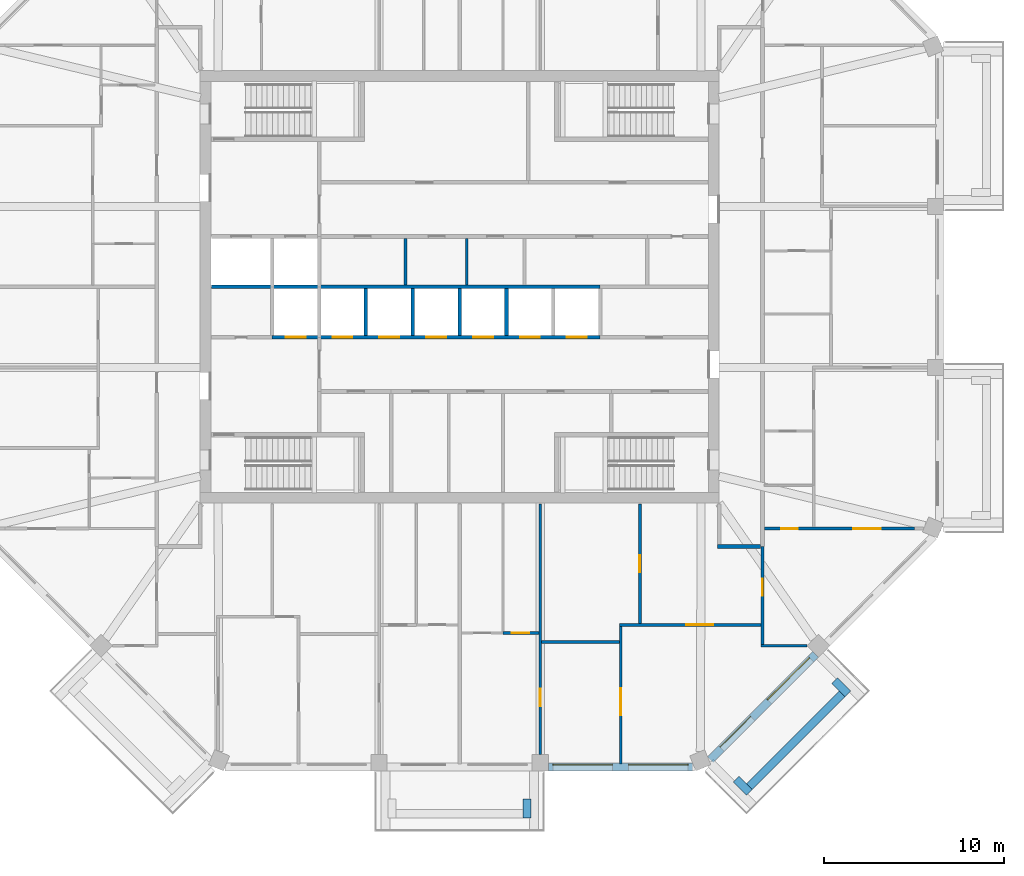
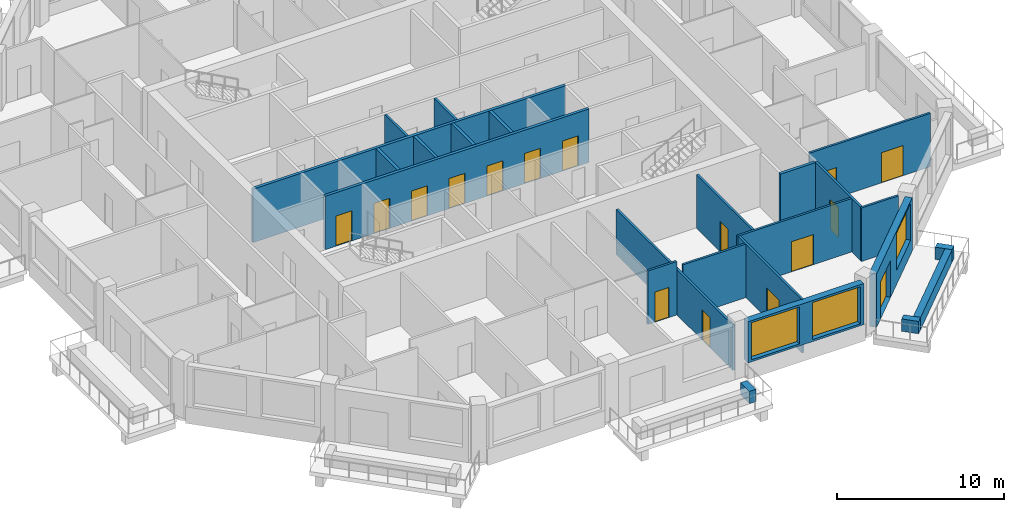
# One storey, part 5 of 12: 24 walls, 16 doors, 3 windows, 19 openings.
"""IFC4 building model written with IfcOpenShell, lengths in metres."""

from ifc_helpers import new_model, si_unit, direction, frame, frame_2d, origin, place, context, subcontext, project, spatial, rectangle, extrude, material, layer, layer_set, type_object, element, fill, save


model = new_model("IFC4")

# Units and contexts
model_context = context("Model", 3, precision=1e-05, world=origin(), true_north=direction((0.0, 1.0)))
body_context = subcontext(model_context, "Body", "Model", "MODEL_VIEW")
ifc_project = project(units=[si_unit("LENGTHUNIT", "METRE"), si_unit("AREAUNIT", "SQUARE_METRE"), si_unit("VOLUMEUNIT", "CUBIC_METRE"), si_unit("PLANEANGLEUNIT", "RADIAN"), si_unit("MASSUNIT", "GRAM", prefix="KILO")], contexts=[model_context])

# Site, building, storey
site_placement = place(None, origin())
site = spatial("IfcSite", under=ifc_project, at=site_placement, CompositionType="ELEMENT")
building_placement = place(site_placement, origin())
building = spatial("IfcBuilding", under=site, at=building_placement, Name="Msitu Wima Residences", CompositionType="ELEMENT")
storey_placement = place(building_placement, frame((0.0, 0.0, 310.5)))
storey = spatial("IfcBuildingStorey", under=building, at=storey_placement, Name="L72", CompositionType="ELEMENT", Elevation=310.5)

# Walls
ifc_material_1 = material(Name="Facing brick")
ifc_layer_1 = layer(ifc_material_1, 0.06494140625, Name="Facing brick")
ifc_material_2 = material(Name="Concrete C40/50", Category="concrete")
ifc_layer_2 = layer(ifc_material_2, 0.156005859375, Name="Concrete C40/50")
ifc_material_3 = material(Name="Waterproofing membrane")
ifc_layer_3 = layer(ifc_material_3, 0.00390625, Name="Waterproofing membrane")
ifc_material_4 = material(Name="Planting soil and planting")
ifc_layer_4 = layer(ifc_material_4, 0.22509765625, Name="Planting soil and planting")
ifc_layer_set_1 = layer_set([ifc_layer_1, ifc_layer_2, ifc_layer_3, ifc_layer_4], Name="Concrete C40/50")
wall_type_1 = type_object("IfcWallType", Name="Balcony planter PLANTER PL450", PredefinedType="USERDEFINED", material=ifc_layer_set_1)
wall_1_placement = place(storey_placement, frame((3.74365234375, -28.39990234375, 0.0), z_axis=(0.0, 0.0, 1.0), x_axis=(0.0, -1.0, 0.0)))
element("IfcWall", 1, at=wall_1_placement, inside=storey, type_object=wall_type_1, Name="Balcony planter S1 L72", ObjectType="PLANTER", PredefinedType="USERDEFINED", context=body_context, shape_type="SweptSolid", body=[
    extrude(rectangle(XDim=1.050048828125, YDim=0.449951171875, at=frame_2d((0.52490234375, 0.0))), origin(), (0.0, 0.0, 1.0), 0.89990234375),
])
wall_2_placement = place(storey_placement, frame((16.0751953125, -27.725830078125, 0.0), z_axis=(0.0, 0.0, 1.0), x_axis=(0.707106781187, 0.707106781187, 0.0)))
element("IfcWall", 2, at=wall_2_placement, inside=storey, type_object=wall_type_1, Name="Balcony planter SE0 L72", ObjectType="PLANTER", PredefinedType="USERDEFINED", context=body_context, shape_type="SweptSolid", body=[
    extrude(rectangle(XDim=7.288330078125, YDim=0.449951171875, at=frame_2d((3.64404296875, 0.0))), origin(), (0.0, 0.0, 1.0), 0.89990234375),
])
for number, where, z_axis, x_axis, name in (
    (3, (15.332763671875, -27.301513671875, 0.0), (0.0, 0.0, 1.0), (0.707106781187, -0.707106781187, 0.0), "Balcony planter SE0 L72"),
    (4, (20.804443359375, -21.829833984375, 0.0), (0.0, 0.0, 1.0), (0.707106781187, -0.707106781187, 0.0), "Balcony planter SE0 L72"),
):
    element("IfcWall", number, at=place(storey_placement, frame(where, z_axis=z_axis, x_axis=x_axis)), inside=storey, type_object=wall_type_1, Name=name, ObjectType="PLANTER", PredefinedType="USERDEFINED", context=body_context, shape_type="SweptSolid", body=[
        extrude(rectangle(XDim=1.050048828125, YDim=0.449951171875, at=frame_2d((0.52490234375, 0.0))), origin(), (0.0, 0.0, 1.0), 0.89990234375),
    ])

# Wall, openings, windows
ifc_material_5 = material(Name="Brick (red buff mix)", Category="masonry")
ifc_layer_5 = layer(ifc_material_5, 0.449951171875)
ifc_layer_set_2 = layer_set([ifc_layer_5], Name="Brick (red buff mix)")
wall_type_2 = type_object("IfcWallType", Name="Brick infill wall BW450", PredefinedType="SOLIDWALL", material=ifc_layer_set_2)
wall_3_placement = place(storey_placement, frame((4.918701171875, -26.625, 0.89990234375), z_axis=(0.0, 0.0, 1.0), x_axis=(1.0, 0.0, 0.0)))
wall_3 = element("IfcWall", 5, at=wall_3_placement, inside=storey, type_object=wall_type_2, Name="Brick infill wall L72 S2", PredefinedType="SOLIDWALL", context=body_context, shape_type="SweptSolid", body=[
    extrude(rectangle(XDim=8.0, YDim=0.449951171875, at=frame_2d((4.0, 0.0))), origin(), (0.0, 0.0, 1.0), 3.0),
])
opening_1_placement = place(wall_3_placement, frame((0.25, 0.0, 0.14990234375)))
opening_1 = element("IfcOpeningElement", 6, at=opening_1_placement, cuts=wall_3, Name="Opening W72.019", PredefinedType="OPENING", context=body_context, shape_type="SweptSolid", body=[
    extrude(rectangle(XDim=3.300048828125, YDim=2.699951171875, at=frame_2d((1.64990234375, 1.35009765625))), frame((0.0, 0.23486328125, 0.0), z_axis=(0.0, -1.0, 0.0), x_axis=(1.0, 0.0, 0.0)), (0.0, 0.0, 1.0), 0.469970703125),
])
opening_2_placement = place(wall_3_placement, frame((4.4501953125, 0.0, 0.14990234375)))
opening_2 = element("IfcOpeningElement", 7, at=opening_2_placement, cuts=wall_3, Name="Opening W72.020", PredefinedType="OPENING", context=body_context, shape_type="SweptSolid", body=[
    extrude(rectangle(XDim=3.300048828125, YDim=2.699951171875, at=frame_2d((1.64990234375, 1.35009765625))), frame((0.0, 0.23486328125, 0.0), z_axis=(0.0, -1.0, 0.0), x_axis=(1.0, 0.0, 0.0)), (0.0, 0.0, 1.0), 0.469970703125),
])
ifc_material_6 = material(Name="Anodised aluminium, bronze finish, clear low-emissivity double glazing", Category="aluminium")
window_type = type_object("IfcWindowType", Name="Window W3300x2700", PartitioningType="DOUBLE_PANEL_VERTICAL", PredefinedType="WINDOW", material=ifc_material_6)
window_1_placement = place(opening_1_placement, origin())
window_1 = element("IfcWindow", 8, at=window_1_placement, inside=storey, type_object=window_type, Name="Window L72 S2.1", OverallHeight=2.699951171875, OverallWidth=3.300048828125, PartitioningType="SINGLE_PANEL", PredefinedType="WINDOW", context=body_context, shape_type="SweptSolid", body=[
    extrude(rectangle(XDim=3.300048828125, YDim=2.699951171875, at=frame_2d((1.64990234375, 1.35009765625))), frame((0.0, 0.135009765625, 0.0), z_axis=(0.0, -1.0, 0.0), x_axis=(1.0, 0.0, 0.0)), (0.0, 0.0, 1.0), 0.06005859375),
])
fill(opening_1, window_1)
window_2_placement = place(opening_2_placement, origin())
window_2 = element("IfcWindow", 9, at=window_2_placement, inside=storey, type_object=window_type, Name="Window L72 S2.2", OverallHeight=2.699951171875, OverallWidth=3.300048828125, PartitioningType="SINGLE_PANEL", PredefinedType="WINDOW", context=body_context, shape_type="SweptSolid", body=[
    extrude(rectangle(XDim=3.300048828125, YDim=2.699951171875, at=frame_2d((1.64990234375, 1.35009765625))), frame((0.0, 0.135009765625, 0.0), z_axis=(0.0, -1.0, 0.0), x_axis=(1.0, 0.0, 0.0)), (0.0, 0.0, 1.0), 0.06005859375),
])
fill(opening_2, window_2)

# Wall, openings, door, window
wall_4_placement = place(storey_placement, frame((13.909423828125, -26.214599609375, 0.0), z_axis=(0.0, 0.0, 1.0), x_axis=(0.707106781187, 0.707106781187, 0.0)))
wall_4 = element("IfcWall", 10, at=wall_4_placement, inside=storey, type_object=wall_type_2, Name="Brick infill wall L72 SE0", PredefinedType="SOLIDWALL", context=body_context, shape_type="SweptSolid", body=[
    extrude(rectangle(XDim=8.251220703125, YDim=0.449951171875, at=frame_2d((4.12548828125, 0.0))), origin(), (0.0, 0.0, 1.0), 3.89990234375),
])
opening_3_placement = place(wall_4_placement, frame((0.86279296875, 0.0, 0.0)))
opening_3 = element("IfcOpeningElement", 11, at=opening_3_placement, cuts=wall_4, Name="Opening D72.007", PredefinedType="OPENING", context=body_context, shape_type="SweptSolid", body=[
    extrude(rectangle(XDim=2.39990234375, YDim=2.699951171875, at=frame_2d((1.199951171875, 1.35009765625))), frame((0.0, 0.23486328125, 0.0), z_axis=(0.0, -1.0, 0.0), x_axis=(1.0, 0.0, 0.0)), (0.0, 0.0, 1.0), 0.469970703125),
])
opening_4_placement = place(wall_4_placement, frame((4.57568359375, 0.0, 1.050048828125)))
opening_4 = element("IfcOpeningElement", 12, at=opening_4_placement, cuts=wall_4, Name="Opening W72.021", PredefinedType="OPENING", context=body_context, shape_type="SweptSolid", body=[
    extrude(rectangle(XDim=3.300048828125, YDim=2.699951171875, at=frame_2d((1.64990234375, 1.35009765625))), frame((0.0, 0.23486328125, 0.0), z_axis=(0.0, -1.0, 0.0), x_axis=(1.0, 0.0, 0.0)), (0.0, 0.0, 1.0), 0.469970703125),
])
door_type_1 = type_object("IfcDoorType", Name="Balcony door D2400x2700", OperationType="SLIDING_TO_LEFT", PredefinedType="DOOR", material=ifc_material_6)
door_1_placement = place(opening_3_placement, origin())
door_1 = element("IfcDoor", 13, at=door_1_placement, inside=storey, type_object=door_type_1, Name="Balcony door L72 SE0", OperationType="SINGLE_SWING_LEFT", OverallHeight=2.699951171875, OverallWidth=2.39990234375, PredefinedType="DOOR", context=body_context, shape_type="SweptSolid", body=[
    extrude(rectangle(XDim=2.39990234375, YDim=2.699951171875, at=frame_2d((1.199951171875, 1.35009765625))), frame((0.0, 0.1298828125, 0.0), z_axis=(0.0, -1.0, 0.0), x_axis=(1.0, 0.0, 0.0)), (0.0, 0.0, 1.0), 0.050048828125),
])
fill(opening_3, door_1)
window_3_placement = place(opening_4_placement, origin())
window_3 = element("IfcWindow", 14, at=window_3_placement, inside=storey, type_object=window_type, Name="Window L72 SE0.2", OverallHeight=2.699951171875, OverallWidth=3.300048828125, PartitioningType="SINGLE_PANEL", PredefinedType="WINDOW", context=body_context, shape_type="SweptSolid", body=[
    extrude(rectangle(XDim=3.300048828125, YDim=2.699951171875, at=frame_2d((1.64990234375, 1.35009765625))), frame((0.0, 0.135009765625, 0.0), z_axis=(0.0, -1.0, 0.0), x_axis=(1.0, 0.0, 0.0)), (0.0, 0.0, 1.0), 0.06005859375),
])
fill(opening_4, window_3)

# Walls
ifc_material_7 = material(Name="Plaster")
ifc_layer_6 = layer(ifc_material_7, 0.011962890625, Name="Plaster")
ifc_material_8 = material(Name="Concrete blockwork", Category="masonry")
ifc_layer_7 = layer(ifc_material_8, 0.176025390625, Name="Concrete blockwork")
ifc_layer_8 = layer(ifc_material_7, 0.011962890625, Name="Plaster")
ifc_layer_set_3 = layer_set([ifc_layer_6, ifc_layer_7, ifc_layer_8], Name="Concrete blockwork")
wall_type_3 = type_object("IfcWallType", Name="Corridor wall FW200", PredefinedType="PARTITIONING", material=ifc_layer_set_3)
wall_5_placement = place(storey_placement, frame((14.300048828125, -14.39990234375, 0.0), z_axis=(0.0, 0.0, 1.0), x_axis=(1.0, 0.0, 0.0)))
element("IfcWall", 15, at=wall_5_placement, inside=storey, type_object=wall_type_3, Name="Corridor wall", PredefinedType="PARTITIONING", context=body_context, shape_type="SweptSolid", body=[
    extrude(rectangle(XDim=2.39990234375, YDim=0.199951171875, at=frame_2d((1.199951171875, 0.0))), origin(), (0.0, 0.0, 1.0), 3.89990234375),
])
ifc_layer_9 = layer(ifc_material_7, 0.011962890625, Name="Plaster")
ifc_layer_10 = layer(ifc_material_8, 0.1259765625, Name="Concrete blockwork")
ifc_layer_11 = layer(ifc_material_7, 0.011962890625, Name="Plaster")
ifc_layer_set_4 = layer_set([ifc_layer_9, ifc_layer_10, ifc_layer_11], Name="Concrete blockwork")
wall_type_4 = type_object("IfcWallType", Name="Partition PW150", PredefinedType="PARTITIONING", material=ifc_layer_set_4)
for number, where, z_axis, x_axis, name in (
    (16, (-3.0, 0.10009765625, 0.0), (0.0, 0.0, 1.0), (0.0, 1.0, 0.0), "Partition"),
    (17, (0.39990234375, 0.10009765625, 0.0), (0.0, 0.0, 1.0), (0.0, 1.0, 0.0), "Partition"),
):
    element("IfcWall", number, at=place(storey_placement, frame(where, z_axis=z_axis, x_axis=x_axis)), inside=storey, type_object=wall_type_4, Name=name, PredefinedType="PARTITIONING", context=body_context, shape_type="SweptSolid", body=[
        extrude(rectangle(XDim=2.599853515625, YDim=0.14990234375, at=frame_2d((1.2998046875, 0.0))), origin(), (0.0, 0.0, 1.0), 3.89990234375),
    ])

# Wall, opening, door
wall_6_placement = place(storey_placement, frame((2.39990234375, -19.199951171875, 0.0), z_axis=(0.0, 0.0, 1.0), x_axis=(1.0, 0.0, 0.0)))
wall_6 = element("IfcWall", 18, at=wall_6_placement, inside=storey, type_object=wall_type_4, Name="Partition", PredefinedType="PARTITIONING", context=body_context, shape_type="SweptSolid", body=[
    extrude(rectangle(XDim=1.99365234375, YDim=0.14990234375, at=frame_2d((0.996826171875, 0.0))), origin(), (0.0, 0.0, 1.0), 3.89990234375),
])
opening_5_placement = place(wall_6_placement, frame((0.5, 0.0, 0.0)))
opening_5 = element("IfcOpeningElement", 19, at=opening_5_placement, cuts=wall_6, Name="Opening D72.026", PredefinedType="OPENING", context=body_context, shape_type="SweptSolid", body=[
    extrude(rectangle(XDim=0.949951171875, YDim=2.199951171875, at=frame_2d((0.47509765625, 1.10009765625))), frame((0.0, 0.0849609375, 0.0), z_axis=(0.0, -1.0, 0.0), x_axis=(1.0, 0.0, 0.0)), (0.0, 0.0, 1.0), 0.169921875),
])
ifc_material_9 = material(Name="Timber flush door", Category="wood")
door_type_2 = type_object("IfcDoorType", Name="Room door D12 950x2200", OperationType="SINGLE_SWING_LEFT", PredefinedType="DOOR", material=ifc_material_9)
door_2_placement = place(opening_5_placement, origin())
door_2 = element("IfcDoor", 20, at=door_2_placement, inside=storey, type_object=door_type_2, Name="Room door", OperationType="SINGLE_SWING_LEFT", OverallHeight=2.199951171875, OverallWidth=0.949951171875, PredefinedType="DOOR", context=body_context, shape_type="SweptSolid", body=[
    extrude(rectangle(XDim=0.949951171875, YDim=2.199951171875, at=frame_2d((0.47509765625, 1.10009765625))), frame((0.0, 0.02490234375, 0.0), z_axis=(0.0, -1.0, 0.0), x_axis=(1.0, 0.0, 0.0)), (0.0, 0.0, 1.0), 0.050048828125),
])
fill(opening_5, door_2)

wall_7_placement = place(storey_placement, frame((4.46875, -25.949951171875, 0.0), z_axis=(0.0, 0.0, 1.0), x_axis=(0.0, 1.0, 0.0)))
wall_7 = element("IfcWall", 21, at=wall_7_placement, inside=storey, type_object=wall_type_4, Name="Partition", PredefinedType="PARTITIONING", context=body_context, shape_type="SweptSolid", body=[
    extrude(rectangle(XDim=13.919921875, YDim=0.14990234375, at=frame_2d((6.9599609375, 0.0))), origin(), (0.0, 0.0, 1.0), 3.300048828125),
])
opening_6_placement = place(wall_7_placement, frame((2.699951171875, 0.0, 0.0)))
opening_6 = element("IfcOpeningElement", 22, at=opening_6_placement, cuts=wall_7, Name="Opening D72.022", PredefinedType="OPENING", context=body_context, shape_type="SweptSolid", body=[
    extrude(rectangle(XDim=0.949951171875, YDim=2.199951171875, at=frame_2d((0.47509765625, 1.10009765625))), frame((0.0, 0.0849609375, 0.0), z_axis=(0.0, -1.0, 0.0), x_axis=(1.0, 0.0, 0.0)), (0.0, 0.0, 1.0), 0.169921875),
])
door_3_placement = place(opening_6_placement, origin())
door_3 = element("IfcDoor", 23, at=door_3_placement, inside=storey, type_object=door_type_2, Name="Room door", OperationType="SINGLE_SWING_LEFT", OverallHeight=2.199951171875, OverallWidth=0.949951171875, PredefinedType="DOOR", context=body_context, shape_type="SweptSolid", body=[
    extrude(rectangle(XDim=0.949951171875, YDim=2.199951171875, at=frame_2d((0.47509765625, 1.10009765625))), frame((0.0, 0.02490234375, 0.0), z_axis=(0.0, -1.0, 0.0), x_axis=(1.0, 0.0, 0.0)), (0.0, 0.0, 1.0), 0.050048828125),
])
fill(opening_6, door_3)

# Wall
wall_8_placement = place(storey_placement, frame((4.543701171875, -19.699951171875, 0.0), z_axis=(0.0, 0.0, 1.0), x_axis=(1.0, 0.0, 0.0)))
element("IfcWall", 24, at=wall_8_placement, inside=storey, type_object=wall_type_4, Name="Partition", PredefinedType="PARTITIONING", context=body_context, shape_type="SweptSolid", body=[
    extrude(rectangle(XDim=4.318603515625, YDim=0.14990234375, at=frame_2d((2.1591796875, 0.0))), origin(), (0.0, 0.0, 1.0), 3.89990234375),
])

# Wall, opening, door
wall_9_placement = place(storey_placement, frame((8.937255859375, -26.455078125, 0.0), z_axis=(0.0, 0.0, 1.0), x_axis=(0.0, 1.0, 0.0)))
wall_9 = element("IfcWall", 25, at=wall_9_placement, inside=storey, type_object=wall_type_4, Name="Partition", PredefinedType="PARTITIONING", context=body_context, shape_type="SweptSolid", body=[
    extrude(rectangle(XDim=7.630126953125, YDim=0.14990234375, at=frame_2d((3.81494140625, 0.0))), origin(), (0.0, 0.0, 1.0), 3.89990234375),
])
opening_7_placement = place(wall_9_placement, frame((2.699951171875, 0.0, 0.0)))
opening_7 = element("IfcOpeningElement", 26, at=opening_7_placement, cuts=wall_9, Name="Opening D72.019", PredefinedType="OPENING", context=body_context, shape_type="SweptSolid", body=[
    extrude(rectangle(XDim=1.5, YDim=2.199951171875, at=frame_2d((0.75, 1.10009765625))), frame((0.0, 0.0849609375, 0.0), z_axis=(0.0, -1.0, 0.0), x_axis=(1.0, 0.0, 0.0)), (0.0, 0.0, 1.0), 0.169921875),
])
ifc_material_10 = material(Name="Timber double door", Category="wood")
door_type_3 = type_object("IfcDoorType", Name="Double door D04 1500x2200", OperationType="DOUBLE_DOOR_SINGLE_SWING", PredefinedType="DOOR", material=ifc_material_10)
door_4_placement = place(opening_7_placement, origin())
door_4 = element("IfcDoor", 27, at=door_4_placement, inside=storey, type_object=door_type_3, Name="Double door", OperationType="DOUBLE_DOOR_SINGLE_SWING", OverallHeight=2.199951171875, OverallWidth=1.5, PredefinedType="DOOR", context=body_context, shape_type="SweptSolid", body=[
    extrude(rectangle(XDim=1.5, YDim=2.199951171875, at=frame_2d((0.75, 1.10009765625))), frame((0.0, 0.02490234375, 0.0), z_axis=(0.0, -1.0, 0.0), x_axis=(1.0, 0.0, 0.0)), (0.0, 0.0, 1.0), 0.050048828125),
])
fill(opening_7, door_4)

wall_10_placement = place(storey_placement, frame((8.8623046875, -18.75, 0.0), z_axis=(0.0, 0.0, 1.0), x_axis=(1.0, 0.0, 0.0)))
wall_10 = element("IfcWall", 28, at=wall_10_placement, inside=storey, type_object=wall_type_4, Name="Partition", PredefinedType="PARTITIONING", context=body_context, shape_type="SweptSolid", body=[
    extrude(rectangle(XDim=7.86279296875, YDim=0.14990234375, at=frame_2d((3.931396484375, 0.0))), origin(), (0.0, 0.0, 1.0), 3.89990234375),
])
opening_8_placement = place(wall_10_placement, frame((3.699951171875, 0.0, 0.0)))
opening_8 = element("IfcOpeningElement", 29, at=opening_8_placement, cuts=wall_10, Name="Opening D72.036", PredefinedType="OPENING", context=body_context, shape_type="SweptSolid", body=[
    extrude(rectangle(XDim=1.5, YDim=2.199951171875, at=frame_2d((0.75, 1.10009765625))), frame((0.0, 0.0849609375, 0.0), z_axis=(0.0, -1.0, 0.0), x_axis=(1.0, 0.0, 0.0)), (0.0, 0.0, 1.0), 0.169921875),
])
door_5_placement = place(opening_8_placement, origin())
door_5 = element("IfcDoor", 30, at=door_5_placement, inside=storey, type_object=door_type_3, Name="Double door", OperationType="DOUBLE_DOOR_SINGLE_SWING", OverallHeight=2.199951171875, OverallWidth=1.5, PredefinedType="DOOR", context=body_context, shape_type="SweptSolid", body=[
    extrude(rectangle(XDim=1.5, YDim=2.199951171875, at=frame_2d((0.75, 1.10009765625))), frame((0.0, 0.02490234375, 0.0), z_axis=(0.0, -1.0, 0.0), x_axis=(1.0, 0.0, 0.0)), (0.0, 0.0, 1.0), 0.050048828125),
])
fill(opening_8, door_5)

wall_11_placement = place(storey_placement, frame((10.0, -18.675048828125, 0.0), z_axis=(0.0, 0.0, 1.0), x_axis=(0.0, 1.0, 0.0)))
wall_11 = element("IfcWall", 31, at=wall_11_placement, inside=storey, type_object=wall_type_4, Name="Partition", PredefinedType="PARTITIONING", context=body_context, shape_type="SweptSolid", body=[
    extrude(rectangle(XDim=6.64501953125, YDim=0.14990234375, at=frame_2d((3.322509765625, 0.0))), origin(), (0.0, 0.0, 1.0), 3.89990234375),
])
opening_9_placement = place(wall_11_placement, frame((2.85009765625, 0.0, 0.0)))
opening_9 = element("IfcOpeningElement", 32, at=opening_9_placement, cuts=wall_11, Name="Opening D72.018", PredefinedType="OPENING", context=body_context, shape_type="SweptSolid", body=[
    extrude(rectangle(XDim=0.949951171875, YDim=2.199951171875, at=frame_2d((0.47509765625, 1.10009765625))), frame((0.0, 0.0849609375, 0.0), z_axis=(0.0, -1.0, 0.0), x_axis=(1.0, 0.0, 0.0)), (0.0, 0.0, 1.0), 0.169921875),
])
door_6_placement = place(opening_9_placement, origin())
door_6 = element("IfcDoor", 33, at=door_6_placement, inside=storey, type_object=door_type_2, Name="Room door", OperationType="SINGLE_SWING_LEFT", OverallHeight=2.199951171875, OverallWidth=0.949951171875, PredefinedType="DOOR", context=body_context, shape_type="SweptSolid", body=[
    extrude(rectangle(XDim=0.949951171875, YDim=2.199951171875, at=frame_2d((0.47509765625, 1.10009765625))), frame((0.0, 0.02490234375, 0.0), z_axis=(0.0, -1.0, 0.0), x_axis=(1.0, 0.0, 0.0)), (0.0, 0.0, 1.0), 0.050048828125),
])
fill(opening_9, door_6)

wall_12_placement = place(storey_placement, frame((16.800048828125, -19.827880859375, 0.0), z_axis=(0.0, 0.0, 1.0), x_axis=(0.0, 1.0, 0.0)))
wall_12 = element("IfcWall", 34, at=wall_12_placement, inside=storey, type_object=wall_type_4, Name="Partition", PredefinedType="PARTITIONING", context=body_context, shape_type="SweptSolid", body=[
    extrude(rectangle(XDim=5.427978515625, YDim=0.14990234375, at=frame_2d((2.7138671875, 0.0))), origin(), (0.0, 0.0, 1.0), 3.89990234375),
])
opening_10_placement = place(wall_12_placement, frame((2.699951171875, 0.0, 0.0)))
opening_10 = element("IfcOpeningElement", 35, at=opening_10_placement, cuts=wall_12, Name="Opening D72.035", PredefinedType="OPENING", context=body_context, shape_type="SweptSolid", body=[
    extrude(rectangle(XDim=0.949951171875, YDim=2.199951171875, at=frame_2d((0.47509765625, 1.10009765625))), frame((0.0, 0.0849609375, 0.0), z_axis=(0.0, -1.0, 0.0), x_axis=(1.0, 0.0, 0.0)), (0.0, 0.0, 1.0), 0.169921875),
])
door_7_placement = place(opening_10_placement, origin())
door_7 = element("IfcDoor", 36, at=door_7_placement, inside=storey, type_object=door_type_2, Name="Room door", OperationType="SINGLE_SWING_LEFT", OverallHeight=2.199951171875, OverallWidth=0.949951171875, PredefinedType="DOOR", context=body_context, shape_type="SweptSolid", body=[
    extrude(rectangle(XDim=0.949951171875, YDim=2.199951171875, at=frame_2d((0.47509765625, 1.10009765625))), frame((0.0, 0.02490234375, 0.0), z_axis=(0.0, -1.0, 0.0), x_axis=(1.0, 0.0, 0.0)), (0.0, 0.0, 1.0), 0.050048828125),
])
fill(opening_10, door_7)

# Wall
wall_13_placement = place(storey_placement, frame((16.72509765625, -19.90283203125, 0.0), z_axis=(0.0, 0.0, 1.0), x_axis=(1.0, 0.0, 0.0)))
element("IfcWall", 37, at=wall_13_placement, inside=storey, type_object=wall_type_4, Name="Partition", PredefinedType="PARTITIONING", context=body_context, shape_type="SweptSolid", body=[
    extrude(rectangle(XDim=2.54150390625, YDim=0.14990234375, at=frame_2d((1.270751953125, 0.0))), origin(), (0.0, 0.0, 1.0), 3.89990234375),
])

# Wall, openings, doors
wall_14_placement = place(storey_placement, frame((16.89990234375, -13.406005859375, 0.0), z_axis=(0.0, 0.0, 1.0), x_axis=(1.0, 0.0, 0.0)))
wall_14 = element("IfcWall", 38, at=wall_14_placement, inside=storey, type_object=wall_type_4, Name="Partition", PredefinedType="PARTITIONING", context=body_context, shape_type="SweptSolid", body=[
    extrude(rectangle(XDim=8.32421875, YDim=0.14990234375, at=frame_2d((4.162109375, 0.0))), origin(), (0.0, 0.0, 1.0), 3.89990234375),
])
opening_11_placement = place(wall_14_placement, frame((4.949951171875, 0.0, 0.0)))
opening_11 = element("IfcOpeningElement", 39, at=opening_11_placement, cuts=wall_14, Name="Opening D72.034", PredefinedType="OPENING", context=body_context, shape_type="SweptSolid", body=[
    extrude(rectangle(XDim=1.5, YDim=2.199951171875, at=frame_2d((0.75, 1.10009765625))), frame((0.0, 0.0849609375, 0.0), z_axis=(0.0, -1.0, 0.0), x_axis=(1.0, 0.0, 0.0)), (0.0, 0.0, 1.0), 0.169921875),
])
opening_12_placement = place(wall_14_placement, frame((0.949951171875, 0.0, 0.0)))
opening_12 = element("IfcOpeningElement", 40, at=opening_12_placement, cuts=wall_14, Name="Opening D72.017", PredefinedType="OPENING", context=body_context, shape_type="SweptSolid", body=[
    extrude(rectangle(XDim=0.89990234375, YDim=2.199951171875, at=frame_2d((0.449951171875, 1.10009765625))), frame((0.0, 0.0849609375, 0.0), z_axis=(0.0, -1.0, 0.0), x_axis=(1.0, 0.0, 0.0)), (0.0, 0.0, 1.0), 0.169921875),
])
door_8_placement = place(opening_11_placement, origin())
door_8 = element("IfcDoor", 41, at=door_8_placement, inside=storey, type_object=door_type_3, Name="Double door", OperationType="DOUBLE_DOOR_SINGLE_SWING", OverallHeight=2.199951171875, OverallWidth=1.5, PredefinedType="DOOR", context=body_context, shape_type="SweptSolid", body=[
    extrude(rectangle(XDim=1.5, YDim=2.199951171875, at=frame_2d((0.75, 1.10009765625))), frame((0.0, 0.02490234375, 0.0), z_axis=(0.0, -1.0, 0.0), x_axis=(1.0, 0.0, 0.0)), (0.0, 0.0, 1.0), 0.050048828125),
])
fill(opening_11, door_8)
door_type_4 = type_object("IfcDoorType", Name="Service door D05 900x2200", OperationType="SINGLE_SWING_LEFT", PredefinedType="DOOR", material=ifc_material_9)
door_9_placement = place(opening_12_placement, origin())
door_9 = element("IfcDoor", 42, at=door_9_placement, inside=storey, type_object=door_type_4, Name="Service door", OperationType="SINGLE_SWING_RIGHT", OverallHeight=2.199951171875, OverallWidth=0.89990234375, PredefinedType="DOOR", context=body_context, shape_type="SweptSolid", body=[
    extrude(rectangle(XDim=0.89990234375, YDim=2.199951171875, at=frame_2d((0.449951171875, 1.10009765625))), frame((0.0, 0.02490234375, 0.0), z_axis=(0.0, -1.0, 0.0), x_axis=(1.0, 0.0, 0.0)), (0.0, 0.0, 1.0), 0.050048828125),
])
fill(opening_12, door_9)

# Wall
ifc_material_11 = material(Name="Fire-rated board")
ifc_layer_12 = layer(ifc_material_11, 0.02490234375, Name="Fire-rated board")
ifc_material_12 = material(Name="Light-gauge stud framing with mineral wool")
ifc_layer_13 = layer(ifc_material_12, 0.14990234375, Name="Light-gauge stud framing with mineral wool")
ifc_layer_14 = layer(ifc_material_11, 0.02490234375, Name="Fire-rated board")
ifc_layer_set_5 = layer_set([ifc_layer_12, ifc_layer_13, ifc_layer_14], Name="Light-gauge stud framing with mineral wool")
wall_type_5 = type_object("IfcWallType", Name="Shaft wall SH200", PredefinedType="PARTITIONING", material=ifc_layer_set_5)
wall_15_placement = place(storey_placement, frame((-13.77001953125, 0.0, 0.0), z_axis=(0.0, 0.0, 1.0), x_axis=(1.0, 0.0, 0.0)))
element("IfcWall", 43, at=wall_15_placement, inside=storey, type_object=wall_type_5, Name="Shaft wall", PredefinedType="PARTITIONING", context=body_context, shape_type="SweptSolid", body=[
    extrude(rectangle(XDim=21.570068359375, YDim=0.199951171875, at=frame_2d((10.78515625, 0.0))), origin(), (0.0, 0.0, 1.0), 3.89990234375),
])

# Wall, openings, doors
wall_16_placement = place(storey_placement, frame((-10.39990234375, -2.800048828125, 0.0), z_axis=(0.0, 0.0, 1.0), x_axis=(1.0, 0.0, 0.0)))
wall_16 = element("IfcWall", 44, at=wall_16_placement, inside=storey, type_object=wall_type_5, Name="Shaft wall", PredefinedType="PARTITIONING", context=body_context, shape_type="SweptSolid", body=[
    extrude(rectangle(XDim=18.199951171875, YDim=0.199951171875, at=frame_2d((9.10009765625, 0.0))), origin(), (0.0, 0.0, 1.0), 3.89990234375),
])
opening_13_placement = place(wall_16_placement, frame((0.75, 0.0, 0.0)))
opening_13 = element("IfcOpeningElement", 45, at=opening_13_placement, cuts=wall_16, Name="Opening LD", PredefinedType="OPENING", context=body_context, shape_type="SweptSolid", body=[
    extrude(rectangle(XDim=1.10009765625, YDim=2.199951171875, at=frame_2d((0.550048828125, 1.10009765625))), frame((0.0, 0.10986328125, 0.0), z_axis=(0.0, -1.0, 0.0), x_axis=(1.0, 0.0, 0.0)), (0.0, 0.0, 1.0), 0.219970703125),
])
opening_14_placement = place(wall_16_placement, frame((3.35009765625, 0.0, 0.0)))
opening_14 = element("IfcOpeningElement", 46, at=opening_14_placement, cuts=wall_16, Name="Opening LD", PredefinedType="OPENING", context=body_context, shape_type="SweptSolid", body=[
    extrude(rectangle(XDim=1.10009765625, YDim=2.199951171875, at=frame_2d((0.550048828125, 1.10009765625))), frame((0.0, 0.10986328125, 0.0), z_axis=(0.0, -1.0, 0.0), x_axis=(1.0, 0.0, 0.0)), (0.0, 0.0, 1.0), 0.219970703125),
])
opening_15_placement = place(wall_16_placement, frame((5.949951171875, 0.0, 0.0)))
opening_15 = element("IfcOpeningElement", 47, at=opening_15_placement, cuts=wall_16, Name="Opening LD", PredefinedType="OPENING", context=body_context, shape_type="SweptSolid", body=[
    extrude(rectangle(XDim=1.10009765625, YDim=2.199951171875, at=frame_2d((0.550048828125, 1.10009765625))), frame((0.0, 0.10986328125, 0.0), z_axis=(0.0, -1.0, 0.0), x_axis=(1.0, 0.0, 0.0)), (0.0, 0.0, 1.0), 0.219970703125),
])
opening_16_placement = place(wall_16_placement, frame((8.550048828125, 0.0, 0.0)))
opening_16 = element("IfcOpeningElement", 48, at=opening_16_placement, cuts=wall_16, Name="Opening LD", PredefinedType="OPENING", context=body_context, shape_type="SweptSolid", body=[
    extrude(rectangle(XDim=1.10009765625, YDim=2.199951171875, at=frame_2d((0.550048828125, 1.10009765625))), frame((0.0, 0.10986328125, 0.0), z_axis=(0.0, -1.0, 0.0), x_axis=(1.0, 0.0, 0.0)), (0.0, 0.0, 1.0), 0.219970703125),
])
opening_17_placement = place(wall_16_placement, frame((11.14990234375, 0.0, 0.0)))
opening_17 = element("IfcOpeningElement", 49, at=opening_17_placement, cuts=wall_16, Name="Opening LD", PredefinedType="OPENING", context=body_context, shape_type="SweptSolid", body=[
    extrude(rectangle(XDim=1.10009765625, YDim=2.199951171875, at=frame_2d((0.550048828125, 1.10009765625))), frame((0.0, 0.10986328125, 0.0), z_axis=(0.0, -1.0, 0.0), x_axis=(1.0, 0.0, 0.0)), (0.0, 0.0, 1.0), 0.219970703125),
])
opening_18_placement = place(wall_16_placement, frame((13.75, 0.0, 0.0)))
opening_18 = element("IfcOpeningElement", 50, at=opening_18_placement, cuts=wall_16, Name="Opening LD", PredefinedType="OPENING", context=body_context, shape_type="SweptSolid", body=[
    extrude(rectangle(XDim=1.10009765625, YDim=2.199951171875, at=frame_2d((0.550048828125, 1.10009765625))), frame((0.0, 0.10986328125, 0.0), z_axis=(0.0, -1.0, 0.0), x_axis=(1.0, 0.0, 0.0)), (0.0, 0.0, 1.0), 0.219970703125),
])
opening_19_placement = place(wall_16_placement, frame((16.35009765625, 0.0, 0.0)))
opening_19 = element("IfcOpeningElement", 51, at=opening_19_placement, cuts=wall_16, Name="Opening LD", PredefinedType="OPENING", context=body_context, shape_type="SweptSolid", body=[
    extrude(rectangle(XDim=1.10009765625, YDim=2.199951171875, at=frame_2d((0.550048828125, 1.10009765625))), frame((0.0, 0.10986328125, 0.0), z_axis=(0.0, -1.0, 0.0), x_axis=(1.0, 0.0, 0.0)), (0.0, 0.0, 1.0), 0.219970703125),
])
ifc_material_13 = material(Name="Stainless steel centre-opening landing door, rated", Category="steel")
door_type_5 = type_object("IfcDoorType", Name="Lift landing door LD 1100x2200", OperationType="DOUBLE_DOOR_SLIDING", PredefinedType="DOOR", material=ifc_material_13)
door_10_placement = place(opening_13_placement, origin())
door_10 = element("IfcDoor", 52, at=door_10_placement, inside=storey, type_object=door_type_5, Name="Lift landing door LD3", OperationType="DOUBLE_DOOR_SLIDING", OverallHeight=2.199951171875, OverallWidth=1.10009765625, PredefinedType="DOOR", context=body_context, shape_type="SweptSolid", body=[
    extrude(rectangle(XDim=1.10009765625, YDim=2.199951171875, at=frame_2d((0.550048828125, 1.10009765625))), frame((0.0, 0.02490234375, 0.0), z_axis=(0.0, -1.0, 0.0), x_axis=(1.0, 0.0, 0.0)), (0.0, 0.0, 1.0), 0.050048828125),
])
fill(opening_13, door_10)
door_11_placement = place(opening_14_placement, origin())
door_11 = element("IfcDoor", 53, at=door_11_placement, inside=storey, type_object=door_type_5, Name="Lift landing door LD5", OperationType="DOUBLE_DOOR_SLIDING", OverallHeight=2.199951171875, OverallWidth=1.10009765625, PredefinedType="DOOR", context=body_context, shape_type="SweptSolid", body=[
    extrude(rectangle(XDim=1.10009765625, YDim=2.199951171875, at=frame_2d((0.550048828125, 1.10009765625))), frame((0.0, 0.02490234375, 0.0), z_axis=(0.0, -1.0, 0.0), x_axis=(1.0, 0.0, 0.0)), (0.0, 0.0, 1.0), 0.050048828125),
])
fill(opening_14, door_11)
door_12_placement = place(opening_15_placement, origin())
door_12 = element("IfcDoor", 54, at=door_12_placement, inside=storey, type_object=door_type_5, Name="Lift landing door LD7", OperationType="DOUBLE_DOOR_SLIDING", OverallHeight=2.199951171875, OverallWidth=1.10009765625, PredefinedType="DOOR", context=body_context, shape_type="SweptSolid", body=[
    extrude(rectangle(XDim=1.10009765625, YDim=2.199951171875, at=frame_2d((0.550048828125, 1.10009765625))), frame((0.0, 0.02490234375, 0.0), z_axis=(0.0, -1.0, 0.0), x_axis=(1.0, 0.0, 0.0)), (0.0, 0.0, 1.0), 0.050048828125),
])
fill(opening_15, door_12)
door_13_placement = place(opening_16_placement, origin())
door_13 = element("IfcDoor", 55, at=door_13_placement, inside=storey, type_object=door_type_5, Name="Lift landing door LD9", OperationType="DOUBLE_DOOR_SLIDING", OverallHeight=2.199951171875, OverallWidth=1.10009765625, PredefinedType="DOOR", context=body_context, shape_type="SweptSolid", body=[
    extrude(rectangle(XDim=1.10009765625, YDim=2.199951171875, at=frame_2d((0.550048828125, 1.10009765625))), frame((0.0, 0.02490234375, 0.0), z_axis=(0.0, -1.0, 0.0), x_axis=(1.0, 0.0, 0.0)), (0.0, 0.0, 1.0), 0.050048828125),
])
fill(opening_16, door_13)
door_14_placement = place(opening_17_placement, origin())
door_14 = element("IfcDoor", 56, at=door_14_placement, inside=storey, type_object=door_type_5, Name="Lift landing door LD11", OperationType="DOUBLE_DOOR_SLIDING", OverallHeight=2.199951171875, OverallWidth=1.10009765625, PredefinedType="DOOR", context=body_context, shape_type="SweptSolid", body=[
    extrude(rectangle(XDim=1.10009765625, YDim=2.199951171875, at=frame_2d((0.550048828125, 1.10009765625))), frame((0.0, 0.02490234375, 0.0), z_axis=(0.0, -1.0, 0.0), x_axis=(1.0, 0.0, 0.0)), (0.0, 0.0, 1.0), 0.050048828125),
])
fill(opening_17, door_14)
door_15_placement = place(opening_18_placement, origin())
door_15 = element("IfcDoor", 57, at=door_15_placement, inside=storey, type_object=door_type_5, Name="Lift landing door LD13", OperationType="DOUBLE_DOOR_SLIDING", OverallHeight=2.199951171875, OverallWidth=1.10009765625, PredefinedType="DOOR", context=body_context, shape_type="SweptSolid", body=[
    extrude(rectangle(XDim=1.10009765625, YDim=2.199951171875, at=frame_2d((0.550048828125, 1.10009765625))), frame((0.0, 0.02490234375, 0.0), z_axis=(0.0, -1.0, 0.0), x_axis=(1.0, 0.0, 0.0)), (0.0, 0.0, 1.0), 0.050048828125),
])
fill(opening_18, door_15)
door_16_placement = place(opening_19_placement, origin())
door_16 = element("IfcDoor", 58, at=door_16_placement, inside=storey, type_object=door_type_5, Name="Lift landing door LD15", OperationType="DOUBLE_DOOR_SLIDING", OverallHeight=2.199951171875, OverallWidth=1.10009765625, PredefinedType="DOOR", context=body_context, shape_type="SweptSolid", body=[
    extrude(rectangle(XDim=1.10009765625, YDim=2.199951171875, at=frame_2d((0.550048828125, 1.10009765625))), frame((0.0, 0.02490234375, 0.0), z_axis=(0.0, -1.0, 0.0), x_axis=(1.0, 0.0, 0.0)), (0.0, 0.0, 1.0), 0.050048828125),
])
fill(opening_19, door_16)

# Walls
for number, where, z_axis, x_axis, name in (
    (59, (-5.199951171875, -2.699951171875, 0.0), (0.0, 0.0, 1.0), (0.0, 1.0, 0.0), "Shaft wall"),
    (60, (-2.60009765625, -2.699951171875, 0.0), (0.0, 0.0, 1.0), (0.0, 1.0, 0.0), "Shaft wall"),
    (61, (0.0, -2.699951171875, 0.0), (0.0, 0.0, 1.0), (0.0, 1.0, 0.0), "Shaft wall"),
    (62, (2.60009765625, -2.699951171875, 0.0), (0.0, 0.0, 1.0), (0.0, 1.0, 0.0), "Shaft wall"),
):
    element("IfcWall", number, at=place(storey_placement, frame(where, z_axis=z_axis, x_axis=x_axis)), inside=storey, type_object=wall_type_5, Name=name, PredefinedType="PARTITIONING", context=body_context, shape_type="SweptSolid", body=[
        extrude(rectangle(XDim=2.599853515625, YDim=0.199951171875, at=frame_2d((1.2998046875, 0.0))), origin(), (0.0, 0.0, 1.0), 3.89990234375),
    ])

save(model, "model.ifc")
